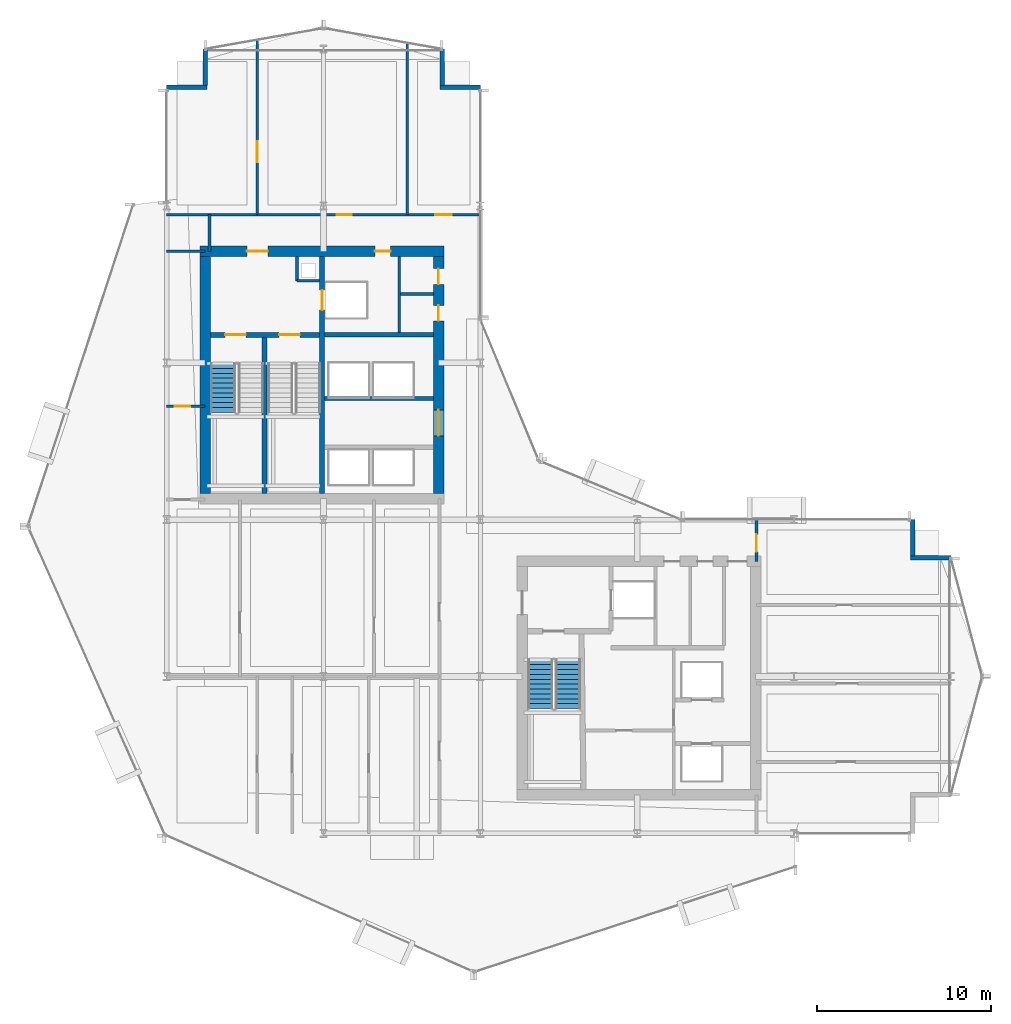
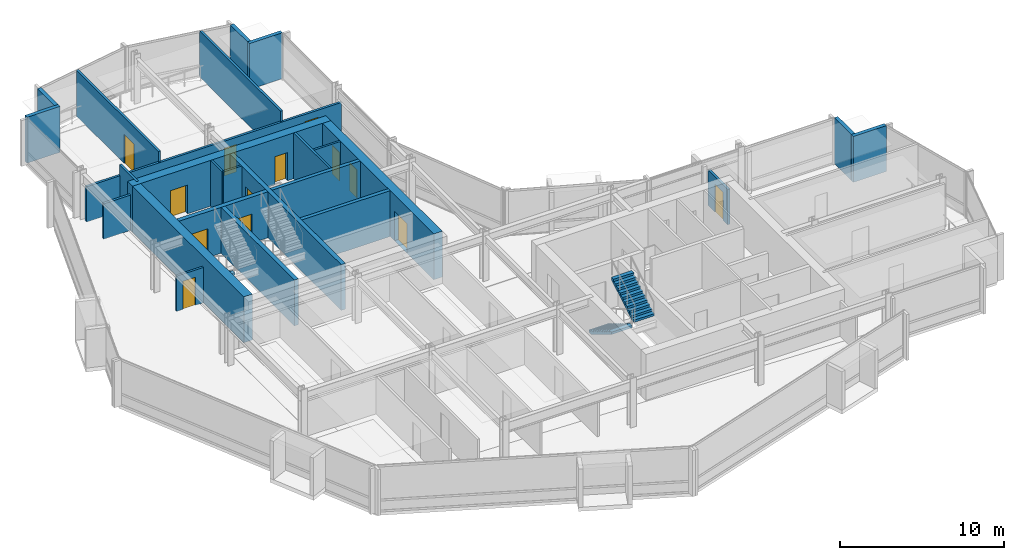
# One storey, part 23 of 29: 25 walls, 13 doors, 3 stair flights, 13 openings, 2 elements without a shape of their own.
"""IFC4 building model written with IfcOpenShell, lengths in metres."""

from ifc_helpers import new_model, si_unit, direction, frame, frame_2d, origin, place, context, subcontext, project, spatial, polyline, rectangle, outline, extrude, material, layer, layer_set, type_object, element, fill, aggregate, save


model = new_model("IFC4")

# Units and contexts
model_context = context("Model", 3, precision=1e-05, world=origin(), true_north=direction((0.0, 1.0)))
body_context = subcontext(model_context, "Body", "Model", "MODEL_VIEW")
ifc_project = project(units=[si_unit("LENGTHUNIT", "METRE"), si_unit("AREAUNIT", "SQUARE_METRE"), si_unit("VOLUMEUNIT", "CUBIC_METRE"), si_unit("PLANEANGLEUNIT", "RADIAN"), si_unit("MASSUNIT", "GRAM", prefix="KILO")], contexts=[model_context])

# Site, building, storey
site_placement = place(None, origin())
site = spatial("IfcSite", under=ifc_project, at=site_placement, CompositionType="ELEMENT")
building_placement = place(site_placement, origin())
building = spatial("IfcBuilding", under=site, at=building_placement, Name="Solvaryn Broadcast Tower", CompositionType="ELEMENT")
storey_placement = place(building_placement, frame((0.0, 0.0, 124.800048828125)))
storey = spatial("IfcBuildingStorey", under=building, at=storey_placement, Name="L30", CompositionType="ELEMENT", Elevation=124.800048828125)

# Wall, openings, doors
ifc_material_1 = material(Name="Concrete f'c 70 MPa", Category="concrete")
ifc_layer_1 = layer(ifc_material_1, 0.60009765625)
ifc_layer_set_1 = layer_set([ifc_layer_1], Name="CW-SHEAR-600")
wall_type_1 = type_object("IfcWallType", Name="CW-SHEAR-600", PredefinedType="SHEAR", material=ifc_layer_set_1)
wall_1_placement = place(storey_placement, frame((24.89990234375, 42.39990234375, 0.0), z_axis=(0.0, 0.0, 1.0), x_axis=(-1.0, 0.0, 0.0)))
wall_1 = element("IfcWall", 1, at=wall_1_placement, inside=storey, type_object=wall_type_1, Name="L30 West Core North Shear Wall", PredefinedType="SHEAR", context=body_context, shape_type="SweptSolid", body=[
    extrude(rectangle(XDim=14.0, YDim=0.60009765625, at=frame_2d((7.0, 0.0))), origin(), (0.0, 0.0, 1.0), 3.419921875),
])
opening_1_placement = place(wall_1_placement, frame((10.10009765625, 0.0, 0.0)))
opening_1 = element("IfcOpeningElement", 2, at=opening_1_placement, cuts=wall_1, Name="Opening FD90A", PredefinedType="OPENING", context=body_context, shape_type="SweptSolid", body=[
    extrude(rectangle(XDim=1.199951171875, YDim=2.14990234375, at=frame_2d((0.60009765625, 1.074951171875))), frame((0.0, 0.31005859375, 0.0), z_axis=(0.0, -1.0, 0.0), x_axis=(1.0, 0.0, 0.0)), (0.0, 0.0, 1.0), 0.6201171875),
])
opening_2_placement = place(wall_1_placement, frame((3.050048828125, 0.0, 0.0)))
opening_2 = element("IfcOpeningElement", 3, at=opening_2_placement, cuts=wall_1, Name="Opening FD60C", PredefinedType="OPENING", context=body_context, shape_type="SweptSolid", body=[
    extrude(rectangle(XDim=0.89990234375, YDim=2.10009765625, at=frame_2d((0.449951171875, 1.050048828125))), frame((0.0, 0.31005859375, 0.0), z_axis=(0.0, -1.0, 0.0), x_axis=(1.0, 0.0, 0.0)), (0.0, 0.0, 1.0), 0.6201171875),
])
ifc_material_2 = material(Name="Flush Acoustic Steel and Timber Door Assembly", Category="steel")
door_type_1 = type_object("IfcDoorType", Name="FD60-SERV-900X2100", OperationType="NOTDEFINED", PredefinedType="DOOR", material=ifc_material_2)
door_1_placement = place(opening_2_placement, origin())
door_1 = element("IfcDoor", 4, at=door_1_placement, inside=storey, type_object=door_type_1, Name="L30 West Core Fiber Riser Door", OperationType="SINGLE_SWING_RIGHT", OverallHeight=2.10009765625, OverallWidth=0.89990234375, PredefinedType="DOOR", context=body_context, shape_type="SweptSolid", body=[
    extrude(rectangle(XDim=0.89990234375, YDim=2.10009765625, at=frame_2d((0.449951171875, 1.050048828125))), frame((0.0, 0.02490234375, 0.0), z_axis=(0.0, -1.0, 0.0), x_axis=(1.0, 0.0, 0.0)), (0.0, 0.0, 1.0), 0.050048828125),
])
fill(opening_2, door_1)
ifc_material_3 = material(Name="Flush Acoustic Steel and Timber Door Assembly", Category="steel")
door_type_2 = type_object("IfcDoorType", Name="FD90-STAIR-1200X2150", OperationType="NOTDEFINED", PredefinedType="DOOR", material=ifc_material_3)
door_2_placement = place(opening_1_placement, origin())
door_2 = element("IfcDoor", 5, at=door_2_placement, inside=storey, type_object=door_type_2, Name="L30 West FSAE Lobby Corridor Door", OperationType="SINGLE_SWING_LEFT", OverallHeight=2.14990234375, OverallWidth=1.199951171875, PredefinedType="DOOR", context=body_context, shape_type="SweptSolid", body=[
    extrude(rectangle(XDim=1.199951171875, YDim=2.14990234375, at=frame_2d((0.60009765625, 1.074951171875))), frame((0.0, 0.02490234375, 0.0), z_axis=(0.0, -1.0, 0.0), x_axis=(1.0, 0.0, 0.0)), (0.0, 0.0, 1.0), 0.050048828125),
])
fill(opening_1, door_2)

# Wall
wall_2_placement = place(storey_placement, frame((11.199951171875, 42.10009765625, 0.0), z_axis=(0.0, 0.0, 1.0), x_axis=(0.0, -1.0, 0.0)))
element("IfcWall", 6, at=wall_2_placement, inside=storey, type_object=wall_type_1, Name="L30 West Core West Shear Wall", PredefinedType="SHEAR", context=body_context, shape_type="SweptSolid", body=[
    extrude(rectangle(XDim=13.60009765625, YDim=0.60009765625, at=frame_2d((6.800048828125, 0.0))), origin(), (0.0, 0.0, 1.0), 3.419921875),
])

# Wall, openings, doors
wall_3_placement = place(storey_placement, frame((24.60009765625, 28.5, 0.0), z_axis=(0.0, 0.0, 1.0), x_axis=(0.0, 1.0, 0.0)))
wall_3 = element("IfcWall", 7, at=wall_3_placement, inside=storey, type_object=wall_type_1, Name="L30 West Core East Shear Wall", PredefinedType="SHEAR", context=body_context, shape_type="SweptSolid", body=[
    extrude(rectangle(XDim=13.60009765625, YDim=0.60009765625, at=frame_2d((6.800048828125, 0.0))), origin(), (0.0, 0.0, 1.0), 3.419921875),
])
opening_3_placement = place(wall_3_placement, frame((3.300048828125, 0.0, 0.0)))
opening_3 = element("IfcOpeningElement", 8, at=opening_3_placement, cuts=wall_3, Name="Opening FD60A", PredefinedType="OPENING", context=body_context, shape_type="SweptSolid", body=[
    extrude(rectangle(XDim=1.5, YDim=2.199951171875, at=frame_2d((0.75, 1.10009765625))), frame((0.0, 0.31005859375, 0.0), z_axis=(0.0, -1.0, 0.0), x_axis=(1.0, 0.0, 0.0)), (0.0, 0.0, 1.0), 0.6201171875),
])
opening_4_placement = place(wall_3_placement, frame((9.89990234375, 0.0, 0.0)))
opening_4 = element("IfcOpeningElement", 9, at=opening_4_placement, cuts=wall_3, Name="Opening FD60C", PredefinedType="OPENING", context=body_context, shape_type="SweptSolid", body=[
    extrude(rectangle(XDim=0.89990234375, YDim=2.10009765625, at=frame_2d((0.449951171875, 1.050048828125))), frame((0.0, 0.31005859375, 0.0), z_axis=(0.0, -1.0, 0.0), x_axis=(1.0, 0.0, 0.0)), (0.0, 0.0, 1.0), 0.6201171875),
])
opening_5_placement = place(wall_3_placement, frame((12.0, 0.0, 0.0)))
opening_5 = element("IfcOpeningElement", 10, at=opening_5_placement, cuts=wall_3, Name="Opening FD60C", PredefinedType="OPENING", context=body_context, shape_type="SweptSolid", body=[
    extrude(rectangle(XDim=0.89990234375, YDim=2.10009765625, at=frame_2d((0.449951171875, 1.050048828125))), frame((0.0, 0.31005859375, 0.0), z_axis=(0.0, -1.0, 0.0), x_axis=(1.0, 0.0, 0.0)), (0.0, 0.0, 1.0), 0.6201171875),
])
ifc_material_4 = material(Name="Flush Acoustic Steel and Timber Door Assembly", Category="steel")
door_type_3 = type_object("IfcDoorType", Name="FD60-CORR-1500X2200", OperationType="NOTDEFINED", PredefinedType="DOOR", material=ifc_material_4)
door_3_placement = place(opening_3_placement, origin())
door_3 = element("IfcDoor", 11, at=door_3_placement, inside=storey, type_object=door_type_3, Name="L30 West Elevator Lobby Corridor Door", OperationType="DOUBLE_DOOR_SINGLE_SWING", OverallHeight=2.199951171875, OverallWidth=1.5, PredefinedType="DOOR", context=body_context, shape_type="SweptSolid", body=[
    extrude(rectangle(XDim=1.5, YDim=2.199951171875, at=frame_2d((0.75, 1.10009765625))), frame((0.0, 0.02490234375, 0.0), z_axis=(0.0, -1.0, 0.0), x_axis=(1.0, 0.0, 0.0)), (0.0, 0.0, 1.0), 0.050048828125),
])
fill(opening_3, door_3)
door_4_placement = place(opening_4_placement, origin())
door_4 = element("IfcDoor", 12, at=door_4_placement, inside=storey, type_object=door_type_1, Name="L30 West Core Service Door 1", OperationType="SINGLE_SWING_LEFT", OverallHeight=2.10009765625, OverallWidth=0.89990234375, PredefinedType="DOOR", context=body_context, shape_type="SweptSolid", body=[
    extrude(rectangle(XDim=0.89990234375, YDim=2.10009765625, at=frame_2d((0.449951171875, 1.050048828125))), frame((0.0, 0.02490234375, 0.0), z_axis=(0.0, -1.0, 0.0), x_axis=(1.0, 0.0, 0.0)), (0.0, 0.0, 1.0), 0.050048828125),
])
fill(opening_4, door_4)
door_5_placement = place(opening_5_placement, origin())
door_5 = element("IfcDoor", 13, at=door_5_placement, inside=storey, type_object=door_type_1, Name="L30 West Core Janitor Door", OperationType="SINGLE_SWING_RIGHT", OverallHeight=2.10009765625, OverallWidth=0.89990234375, PredefinedType="DOOR", context=body_context, shape_type="SweptSolid", body=[
    extrude(rectangle(XDim=0.89990234375, YDim=2.10009765625, at=frame_2d((0.449951171875, 1.050048828125))), frame((0.0, 0.02490234375, 0.0), z_axis=(0.0, -1.0, 0.0), x_axis=(1.0, 0.0, 0.0)), (0.0, 0.0, 1.0), 0.050048828125),
])
fill(opening_5, door_5)

# Walls
ifc_material_5 = material(Name="Concrete f'c 50 MPa", Category="concrete")
ifc_layer_2 = layer(ifc_material_5, 0.260009765625)
ifc_layer_set_2 = layer_set([ifc_layer_2], Name="EW-PIER-260")
wall_type_2 = type_object("IfcWallType", Name="EW-PIER-260", PredefinedType="SOLIDWALL", material=ifc_layer_set_2)
wall_4_placement = place(storey_placement, frame((9.0, 51.800048828125, 0.0), z_axis=(0.0, 0.0, 1.0), x_axis=(1.0, 0.0, 0.0)))
element("IfcWall", 14, at=wall_4_placement, inside=storey, type_object=wall_type_2, Name="L30 Notched Corner Pier Wall NNW1", PredefinedType="SOLIDWALL", context=body_context, shape_type="SweptSolid", body=[
    extrude(rectangle(XDim=2.320068359375, YDim=0.260009765625, at=frame_2d((1.16015625, 0.0))), origin(), (0.0, 0.0, 1.0), 3.419921875),
])
for number, where, z_axis, x_axis, name in (
    (15, (11.199951171875, 51.919921875, 0.0), (0.0, 0.0, 1.0), (0.0, 1.0, 0.0), "L30 Notched Corner Pier Wall NNW2"),
    (16, (24.800048828125, 54.0, 0.0), (0.0, 0.0, 1.0), (0.0, -1.0, 0.0), "L30 Notched Corner Pier Wall NNE1"),
):
    element("IfcWall", number, at=place(storey_placement, frame(where, z_axis=z_axis, x_axis=x_axis)), inside=storey, type_object=wall_type_2, Name=name, PredefinedType="SOLIDWALL", context=body_context, shape_type="SweptSolid", body=[
        extrude(rectangle(XDim=2.080078125, YDim=0.260009765625, at=frame_2d((1.0400390625, 0.0))), origin(), (0.0, 0.0, 1.0), 3.419921875),
    ])
for number, where, z_axis, x_axis, name in (
    (17, (24.679931640625, 51.800048828125, 0.0), (0.0, 0.0, 1.0), (1.0, 0.0, 0.0), "L30 Notched Corner Pier Wall NNE2"),
    (18, (54.0, 24.800048828125, 0.0), (0.0, 0.0, 1.0), (-1.0, 0.0, 0.0), "L30 Notched Corner Pier Wall NEE1"),
):
    element("IfcWall", number, at=place(storey_placement, frame(where, z_axis=z_axis, x_axis=x_axis)), inside=storey, type_object=wall_type_2, Name=name, PredefinedType="SOLIDWALL", context=body_context, shape_type="SweptSolid", body=[
        extrude(rectangle(XDim=2.320068359375, YDim=0.260009765625, at=frame_2d((1.16015625, 0.0))), origin(), (0.0, 0.0, 1.0), 3.419921875),
    ])
wall_5_placement = place(storey_placement, frame((51.800048828125, 24.919921875, 0.0), z_axis=(0.0, 0.0, 1.0), x_axis=(0.0, 1.0, 0.0)))
element("IfcWall", 19, at=wall_5_placement, inside=storey, type_object=wall_type_2, Name="L30 Notched Corner Pier Wall NEE2", PredefinedType="SOLIDWALL", context=body_context, shape_type="SweptSolid", body=[
    extrude(rectangle(XDim=2.080078125, YDim=0.260009765625, at=frame_2d((1.0400390625, 0.0))), origin(), (0.0, 0.0, 1.0), 3.419921875),
])
ifc_material_6 = material(Name="Metal-Stud Service Core Partition")
ifc_layer_3 = layer(ifc_material_6, 0.14990234375)
ifc_layer_set_3 = layer_set([ifc_layer_3], Name="IW-PART-150")
wall_type_3 = type_object("IfcWallType", Name="IW-PART-150", PredefinedType="PARTITIONING", material=ifc_layer_set_3)
wall_6_placement = place(storey_placement, frame((16.47998046875, 40.699951171875, 0.0), z_axis=(0.0, 0.0, 1.0), x_axis=(1.0, 0.0, 0.0)))
element("IfcWall", 20, at=wall_6_placement, inside=storey, type_object=wall_type_3, Name="L30 West Core Riser Shaft South Wall", PredefinedType="PARTITIONING", context=body_context, shape_type="SweptSolid", body=[
    extrude(rectangle(XDim=1.2900390625, YDim=0.14990234375, at=frame_2d((0.64501953125, 0.0))), origin(), (0.0, 0.0, 1.0), 3.419921875),
])
wall_7_placement = place(storey_placement, frame((16.47998046875, 40.699951171875, 0.0), z_axis=(0.0, 0.0, 1.0), x_axis=(0.0, 1.0, 0.0)))
element("IfcWall", 21, at=wall_7_placement, inside=storey, type_object=wall_type_3, Name="L30 West Core Riser Shaft West Wall", PredefinedType="PARTITIONING", context=body_context, shape_type="SweptSolid", body=[
    extrude(rectangle(XDim=1.400146484375, YDim=0.14990234375, at=frame_2d((0.7001953125, 0.0))), origin(), (0.0, 0.0, 1.0), 3.419921875),
])
wall_8_placement = place(storey_placement, frame((22.35009765625, 37.72998046875, 0.0), z_axis=(0.0, 0.0, 1.0), x_axis=(0.0, 1.0, 0.0)))
element("IfcWall", 22, at=wall_8_placement, inside=storey, type_object=wall_type_3, Name="L30 Interior Partition IW-L30-CWS-V", PredefinedType="PARTITIONING", context=body_context, shape_type="SweptSolid", body=[
    extrude(rectangle(XDim=4.3701171875, YDim=0.14990234375, at=frame_2d((2.18505859375, 0.0))), origin(), (0.0, 0.0, 1.0), 3.419921875),
])
wall_9_placement = place(storey_placement, frame((22.429931640625, 39.949951171875, 0.0), z_axis=(0.0, 0.0, 1.0), x_axis=(1.0, 0.0, 0.0)))
element("IfcWall", 23, at=wall_9_placement, inside=storey, type_object=wall_type_3, Name="L30 Interior Partition IW-L30-CWS-H", PredefinedType="PARTITIONING", context=body_context, shape_type="SweptSolid", body=[
    extrude(rectangle(XDim=1.8701171875, YDim=0.14990234375, at=frame_2d((0.93505859375, 0.0))), origin(), (0.0, 0.0, 1.0), 3.419921875),
])

# Wall, opening, door
wall_10_placement = place(storey_placement, frame((9.0, 33.5, 0.0), z_axis=(0.0, 0.0, 1.0), x_axis=(1.0, 0.0, 0.0)))
wall_10 = element("IfcWall", 24, at=wall_10_placement, inside=storey, type_object=wall_type_3, Name="L30 Interior Partition IW-L30-WM-M", PredefinedType="PARTITIONING", context=body_context, shape_type="SweptSolid", body=[
    extrude(rectangle(XDim=2.199951171875, YDim=0.14990234375, at=frame_2d((1.10009765625, 0.0))), origin(), (0.0, 0.0, 1.0), 2.634033203125),
])
opening_6_placement = place(wall_10_placement, frame((0.449951171875, 0.0, 0.0)))
opening_6 = element("IfcOpeningElement", 25, at=opening_6_placement, cuts=wall_10, Name="Opening FD60C", PredefinedType="OPENING", context=body_context, shape_type="SweptSolid", body=[
    extrude(rectangle(XDim=0.89990234375, YDim=2.10009765625, at=frame_2d((0.449951171875, 1.050048828125))), frame((0.0, 0.0849609375, 0.0), z_axis=(0.0, -1.0, 0.0), x_axis=(1.0, 0.0, 0.0)), (0.0, 0.0, 1.0), 0.169921875),
])
door_6_placement = place(opening_6_placement, origin())
door_6 = element("IfcDoor", 26, at=door_6_placement, inside=storey, type_object=door_type_1, Name="L30 Door DR-L30-WM1", OperationType="SINGLE_SWING_RIGHT", OverallHeight=2.10009765625, OverallWidth=0.89990234375, PredefinedType="DOOR", context=body_context, shape_type="SweptSolid", body=[
    extrude(rectangle(XDim=0.89990234375, YDim=2.10009765625, at=frame_2d((0.449951171875, 1.050048828125))), frame((0.0, 0.02490234375, 0.0), z_axis=(0.0, -1.0, 0.0), x_axis=(1.0, 0.0, 0.0)), (0.0, 0.0, 1.0), 0.050048828125),
])
fill(opening_6, door_6)

# Walls
ifc_material_7 = material(Name="Metal-Stud Gypsum Office Partition")
ifc_layer_4 = layer(ifc_material_7, 0.159912109375)
ifc_layer_set_4 = layer_set([ifc_layer_4], Name="IW-PART-160")
wall_type_4 = type_object("IfcWallType", Name="IW-PART-160", PredefinedType="PARTITIONING", material=ifc_layer_set_4)
wall_11_placement = place(storey_placement, frame((9.0, 42.39990234375, 0.0), z_axis=(0.0, 0.0, 1.0), x_axis=(1.0, 0.0, 0.0)))
element("IfcWall", 27, at=wall_11_placement, inside=storey, type_object=wall_type_4, Name="L30 Interior Partition IW-L30-WM-N", PredefinedType="PARTITIONING", context=body_context, shape_type="SweptSolid", body=[
    extrude(rectangle(XDim=2.199951171875, YDim=0.159912109375, at=frame_2d((1.10009765625, 0.0))), origin(), (0.0, 0.0, 1.0), 2.634033203125),
])
wall_12_placement = place(storey_placement, frame((11.449951171875, 42.39990234375, 0.0), z_axis=(0.0, 0.0, 1.0), x_axis=(0.0, 1.0, 0.0)))
element("IfcWall", 28, at=wall_12_placement, inside=storey, type_object=wall_type_4, Name="L30 Interior Partition IW-L30-WM-E", PredefinedType="PARTITIONING", context=body_context, shape_type="SweptSolid", body=[
    extrude(rectangle(XDim=2.10009765625, YDim=0.159912109375, at=frame_2d((1.050048828125, 0.0))), origin(), (0.0, 0.0, 1.0), 3.419921875),
])

# Wall, openings, doors
wall_13_placement = place(storey_placement, frame((9.0, 44.5, 0.0), z_axis=(0.0, 0.0, 1.0), x_axis=(1.0, 0.0, 0.0)))
wall_13 = element("IfcWall", 29, at=wall_13_placement, inside=storey, type_object=wall_type_4, Name="L30 Interior Partition IW-L30-NW-SB", PredefinedType="PARTITIONING", context=body_context, shape_type="SweptSolid", body=[
    extrude(rectangle(XDim=18.0, YDim=0.159912109375, at=frame_2d((9.0, 0.0))), origin(), (0.0, 0.0, 1.0), 2.634033203125),
])
opening_7_placement = place(wall_13_placement, frame((9.75, 0.0, 0.0)))
opening_7 = element("IfcOpeningElement", 30, at=opening_7_placement, cuts=wall_13, Name="Opening ID07", PredefinedType="OPENING", context=body_context, shape_type="SweptSolid", body=[
    extrude(rectangle(XDim=0.860107421875, YDim=2.050048828125, at=frame_2d((0.43017578125, 1.02490234375))), frame((0.0, 0.090087890625, 0.0), z_axis=(0.0, -1.0, 0.0), x_axis=(1.0, 0.0, 0.0)), (0.0, 0.0, 1.0), 0.179931640625),
])
opening_8_placement = place(wall_13_placement, frame((15.39990234375, 0.0, 0.0)))
opening_8 = element("IfcOpeningElement", 31, at=opening_8_placement, cuts=wall_13, Name="Opening ID01", PredefinedType="OPENING", context=body_context, shape_type="SweptSolid", body=[
    extrude(rectangle(XDim=0.949951171875, YDim=2.10009765625, at=frame_2d((0.47509765625, 1.050048828125))), frame((0.0, 0.090087890625, 0.0), z_axis=(0.0, -1.0, 0.0), x_axis=(1.0, 0.0, 0.0)), (0.0, 0.0, 1.0), 0.179931640625),
])
ifc_material_8 = material(Name="Flush Acoustic Steel and Timber Door Assembly", Category="steel")
door_type_4 = type_object("IfcDoorType", Name="ID-01-950X2100", OperationType="NOTDEFINED", PredefinedType="DOOR", material=ifc_material_8)
door_7_placement = place(opening_8_placement, origin())
door_7 = element("IfcDoor", 32, at=door_7_placement, inside=storey, type_object=door_type_4, Name="L30 Door DR-L30-NW-3", OperationType="SINGLE_SWING_RIGHT", OverallHeight=2.10009765625, OverallWidth=0.949951171875, PredefinedType="DOOR", context=body_context, shape_type="SweptSolid", body=[
    extrude(rectangle(XDim=0.949951171875, YDim=2.10009765625, at=frame_2d((0.47509765625, 1.050048828125))), frame((0.0, 0.02490234375, 0.0), z_axis=(0.0, -1.0, 0.0), x_axis=(1.0, 0.0, 0.0)), (0.0, 0.0, 1.0), 0.050048828125),
])
fill(opening_8, door_7)
ifc_material_9 = material(Name="Flush Acoustic Steel and Timber Door Assembly", Category="steel")
door_type_5 = type_object("IfcDoorType", Name="ID-07-860X2050", OperationType="NOTDEFINED", PredefinedType="DOOR", material=ifc_material_9)
door_8_placement = place(opening_7_placement, origin())
door_8 = element("IfcDoor", 33, at=door_8_placement, inside=storey, type_object=door_type_5, Name="L30 Door DR-L30-NW-2", OperationType="SINGLE_SWING_LEFT", OverallHeight=2.050048828125, OverallWidth=0.860107421875, PredefinedType="DOOR", context=body_context, shape_type="SweptSolid", body=[
    extrude(rectangle(XDim=0.860107421875, YDim=2.050048828125, at=frame_2d((0.43017578125, 1.02490234375))), frame((0.0, 0.02490234375, 0.0), z_axis=(0.0, -1.0, 0.0), x_axis=(1.0, 0.0, 0.0)), (0.0, 0.0, 1.0), 0.050048828125),
])
fill(opening_7, door_8)

# Wall, opening, door
wall_14_placement = place(storey_placement, frame((14.199951171875, 44.5, 0.0), z_axis=(0.0, 0.0, 1.0), x_axis=(0.0, 1.0, 0.0)))
wall_14 = element("IfcWall", 34, at=wall_14_placement, inside=storey, type_object=wall_type_4, Name="L30 Interior Partition IW-L30-NW-V1", PredefinedType="PARTITIONING", context=body_context, shape_type="SweptSolid", body=[
    extrude(rectangle(XDim=10.029052734375, YDim=0.159912109375, at=frame_2d((5.0146484375, 0.0))), origin(), (0.0, 0.0, 1.0), 3.419921875),
])
opening_9_placement = place(wall_14_placement, frame((3.0, 0.0, 0.0)))
opening_9 = element("IfcOpeningElement", 35, at=opening_9_placement, cuts=wall_14, Name="Opening ID04", PredefinedType="OPENING", context=body_context, shape_type="SweptSolid", body=[
    extrude(rectangle(XDim=1.199951171875, YDim=2.14990234375, at=frame_2d((0.60009765625, 1.074951171875))), frame((0.0, 0.090087890625, 0.0), z_axis=(0.0, -1.0, 0.0), x_axis=(1.0, 0.0, 0.0)), (0.0, 0.0, 1.0), 0.179931640625),
])
ifc_material_10 = material(Name="Flush Acoustic Steel and Timber Door Assembly", Category="steel")
door_type_6 = type_object("IfcDoorType", Name="ID-04-1200X2150", OperationType="NOTDEFINED", PredefinedType="DOOR", material=ifc_material_10)
door_9_placement = place(opening_9_placement, origin())
door_9 = element("IfcDoor", 36, at=door_9_placement, inside=storey, type_object=door_type_6, Name="L30 Door DR-L30-NW-C1", OperationType="SINGLE_SWING_RIGHT", OverallHeight=2.14990234375, OverallWidth=1.199951171875, PredefinedType="DOOR", context=body_context, shape_type="SweptSolid", body=[
    extrude(rectangle(XDim=1.199951171875, YDim=2.14990234375, at=frame_2d((0.60009765625, 1.074951171875))), frame((0.0, 0.02490234375, 0.0), z_axis=(0.0, -1.0, 0.0), x_axis=(1.0, 0.0, 0.0)), (0.0, 0.0, 1.0), 0.050048828125),
])
fill(opening_9, door_9)

# Wall
wall_15_placement = place(storey_placement, frame((22.800048828125, 44.5, 0.0), z_axis=(0.0, 0.0, 1.0), x_axis=(0.0, 1.0, 0.0)))
element("IfcWall", 37, at=wall_15_placement, inside=storey, type_object=wall_type_4, Name="L30 Interior Partition IW-L30-NW-V2", PredefinedType="PARTITIONING", context=body_context, shape_type="SweptSolid", body=[
    extrude(rectangle(XDim=9.85302734375, YDim=0.159912109375, at=frame_2d((4.926513671875, 0.0))), origin(), (0.0, 0.0, 1.0), 3.419921875),
])

# Wall, opening, door
wall_16_placement = place(storey_placement, frame((42.85009765625, 24.60009765625, 0.0), z_axis=(0.0, 0.0, 1.0), x_axis=(0.0, 1.0, 0.0)))
wall_16 = element("IfcWall", 38, at=wall_16_placement, inside=storey, type_object=wall_type_4, Name="L30 Interior Partition IW-L30-EW-BN", PredefinedType="PARTITIONING", context=body_context, shape_type="SweptSolid", body=[
    extrude(rectangle(XDim=2.39990234375, YDim=0.159912109375, at=frame_2d((1.199951171875, 0.0))), origin(), (0.0, 0.0, 1.0), 2.634033203125),
])
opening_10_placement = place(wall_16_placement, frame((0.550048828125, 0.0, 0.0)))
opening_10 = element("IfcOpeningElement", 39, at=opening_10_placement, cuts=wall_16, Name="Opening ID02", PredefinedType="OPENING", context=body_context, shape_type="SweptSolid", body=[
    extrude(rectangle(XDim=1.0, YDim=2.10009765625, at=frame_2d((0.5, 1.050048828125))), frame((0.0, 0.090087890625, 0.0), z_axis=(0.0, -1.0, 0.0), x_axis=(1.0, 0.0, 0.0)), (0.0, 0.0, 1.0), 0.179931640625),
])
ifc_material_11 = material(Name="Flush Acoustic Steel and Timber Door Assembly", Category="steel")
door_type_7 = type_object("IfcDoorType", Name="ID-02-1000X2100", OperationType="NOTDEFINED", PredefinedType="DOOR", material=ifc_material_11)
door_10_placement = place(opening_10_placement, origin())
door_10 = element("IfcDoor", 40, at=door_10_placement, inside=storey, type_object=door_type_7, Name="L30 Door DR-L30-EW0", OperationType="SINGLE_SWING_LEFT", OverallHeight=2.10009765625, OverallWidth=1.0, PredefinedType="DOOR", context=body_context, shape_type="SweptSolid", body=[
    extrude(rectangle(XDim=1.0, YDim=2.10009765625, at=frame_2d((0.5, 1.050048828125))), frame((0.0, 0.02490234375, 0.0), z_axis=(0.0, -1.0, 0.0), x_axis=(1.0, 0.0, 0.0)), (0.0, 0.0, 1.0), 0.050048828125),
])
fill(opening_10, door_10)

# Walls
ifc_material_12 = material(Name="Concrete f'c 60 MPa", Category="concrete")
ifc_layer_5 = layer(ifc_material_12, 0.25)
ifc_layer_set_5 = layer_set([ifc_layer_5], Name="SW-SHAFT-250")
wall_type_5 = type_object("IfcWallType", Name="SW-SHAFT-250", PredefinedType="PARTITIONING", material=ifc_layer_set_5)
for number, where, z_axis, x_axis, name in (
    (41, (18.070068359375, 37.60009765625, 0.0), (0.0, 0.0, 1.0), (1.0, 0.0, 0.0), "L30 West Core FSAE Hoistway Front Wall"),
    (42, (24.300048828125, 33.949951171875, 0.0), (0.0, 0.0, 1.0), (-1.0, 0.0, 0.0), "L30 High-Rise Lift Bank North Wall"),
):
    element("IfcWall", number, at=place(storey_placement, frame(where, z_axis=z_axis, x_axis=x_axis)), inside=storey, type_object=wall_type_5, Name=name, PredefinedType="PARTITIONING", context=body_context, shape_type="SweptSolid", body=[
        extrude(rectangle(XDim=6.22998046875, YDim=0.25, at=frame_2d((3.114990234375, 0.0))), origin(), (0.0, 0.0, 1.0), 3.419921875),
    ])
ifc_material_13 = material(Name="Concrete f'c 70 MPa", Category="concrete")
ifc_layer_6 = layer(ifc_material_13, 0.300048828125)
ifc_layer_set_6 = layer_set([ifc_layer_6], Name="SW-SHAFT-300")
wall_type_6 = type_object("IfcWallType", Name="SW-SHAFT-300", PredefinedType="SHEAR", material=ifc_layer_set_6)
wall_17_placement = place(storey_placement, frame((14.6201171875, 28.5, 0.0), z_axis=(0.0, 0.0, 1.0), x_axis=(0.0, 1.0, 0.0)))
element("IfcWall", 43, at=wall_17_placement, inside=storey, type_object=wall_type_6, Name="L30 Stair 1-2 Dividing Wall", PredefinedType="SHEAR", context=body_context, shape_type="SweptSolid", body=[
    extrude(rectangle(XDim=8.949951171875, YDim=0.300048828125, at=frame_2d((4.47509765625, 0.0))), origin(), (0.0, 0.0, 1.0), 3.419921875),
])

# Wall, opening, door
wall_18_placement = place(storey_placement, frame((17.919921875, 42.10009765625, 0.0), z_axis=(0.0, 0.0, 1.0), x_axis=(0.0, -1.0, 0.0)))
wall_18 = element("IfcWall", 44, at=wall_18_placement, inside=storey, type_object=wall_type_6, Name="L30 West Core Stair-Lobby Shear Wall", PredefinedType="SHEAR", context=body_context, shape_type="SweptSolid", body=[
    extrude(rectangle(XDim=13.60009765625, YDim=0.300048828125, at=frame_2d((6.800048828125, 0.0))), origin(), (0.0, 0.0, 1.0), 3.419921875),
])
opening_11_placement = place(wall_18_placement, frame((1.925048828125, 0.0, 0.0)))
opening_11 = element("IfcOpeningElement", 45, at=opening_11_placement, cuts=wall_18, Name="Opening LD01", PredefinedType="OPENING", context=body_context, shape_type="SweptSolid", body=[
    extrude(rectangle(XDim=1.14990234375, YDim=2.14990234375, at=frame_2d((0.574951171875, 1.074951171875))), frame((0.0, 0.159912109375, 0.0), z_axis=(0.0, -1.0, 0.0), x_axis=(1.0, 0.0, 0.0)), (0.0, 0.0, 1.0), 0.320068359375),
])
ifc_material_14 = material(Name="Flush Acoustic Steel and Timber Door Assembly", Category="steel")
door_type_8 = type_object("IfcDoorType", Name="LD-LIFT-1150X2150", OperationType="NOTDEFINED", PredefinedType="DOOR", material=ifc_material_14)
door_11_placement = place(opening_11_placement, origin())
door_11 = element("IfcDoor", 46, at=door_11_placement, inside=storey, type_object=door_type_8, Name="L30 FL1 Lift Landing Door", OperationType="DOUBLE_DOOR_SLIDING", OverallHeight=2.14990234375, OverallWidth=1.14990234375, PredefinedType="DOOR", context=body_context, shape_type="SweptSolid", body=[
    extrude(rectangle(XDim=1.14990234375, YDim=2.14990234375, at=frame_2d((0.574951171875, 1.074951171875))), frame((0.0, 0.02490234375, 0.0), z_axis=(0.0, -1.0, 0.0), x_axis=(1.0, 0.0, 0.0)), (0.0, 0.0, 1.0), 0.050048828125),
])
fill(opening_11, door_11)

# Wall, openings, doors
wall_19_placement = place(storey_placement, frame((17.77001953125, 37.60009765625, 0.0), z_axis=(0.0, 0.0, 1.0), x_axis=(-1.0, 0.0, 0.0)))
wall_19 = element("IfcWall", 47, at=wall_19_placement, inside=storey, type_object=wall_type_6, Name="L30 West Core FSAE Lobby South Wall", PredefinedType="SHEAR", context=body_context, shape_type="SweptSolid", body=[
    extrude(rectangle(XDim=6.27001953125, YDim=0.300048828125, at=frame_2d((3.135009765625, 0.0))), origin(), (0.0, 0.0, 1.0), 3.419921875),
])
opening_12_placement = place(wall_19_placement, frame((4.219970703125, 0.0, 0.0)))
opening_12 = element("IfcOpeningElement", 48, at=opening_12_placement, cuts=wall_19, Name="Opening FD90A", PredefinedType="OPENING", context=body_context, shape_type="SweptSolid", body=[
    extrude(rectangle(XDim=1.199951171875, YDim=2.14990234375, at=frame_2d((0.60009765625, 1.074951171875))), frame((0.0, 0.159912109375, 0.0), z_axis=(0.0, -1.0, 0.0), x_axis=(1.0, 0.0, 0.0)), (0.0, 0.0, 1.0), 0.320068359375),
])
opening_13_placement = place(wall_19_placement, frame((1.1201171875, 0.0, 0.0)))
opening_13 = element("IfcOpeningElement", 49, at=opening_13_placement, cuts=wall_19, Name="Opening FD90A", PredefinedType="OPENING", context=body_context, shape_type="SweptSolid", body=[
    extrude(rectangle(XDim=1.199951171875, YDim=2.14990234375, at=frame_2d((0.60009765625, 1.074951171875))), frame((0.0, 0.159912109375, 0.0), z_axis=(0.0, -1.0, 0.0), x_axis=(1.0, 0.0, 0.0)), (0.0, 0.0, 1.0), 0.320068359375),
])
door_12_placement = place(opening_12_placement, origin())
door_12 = element("IfcDoor", 50, at=door_12_placement, inside=storey, type_object=door_type_2, Name="L30 Stair 1 Fire Door", OperationType="SINGLE_SWING_LEFT", OverallHeight=2.14990234375, OverallWidth=1.199951171875, PredefinedType="DOOR", context=body_context, shape_type="SweptSolid", body=[
    extrude(rectangle(XDim=1.199951171875, YDim=2.14990234375, at=frame_2d((0.60009765625, 1.074951171875))), frame((0.0, 0.02490234375, 0.0), z_axis=(0.0, -1.0, 0.0), x_axis=(1.0, 0.0, 0.0)), (0.0, 0.0, 1.0), 0.050048828125),
])
fill(opening_12, door_12)
door_13_placement = place(opening_13_placement, origin())
door_13 = element("IfcDoor", 51, at=door_13_placement, inside=storey, type_object=door_type_2, Name="L30 Stair 2 Fire Door", OperationType="SINGLE_SWING_RIGHT", OverallHeight=2.14990234375, OverallWidth=1.199951171875, PredefinedType="DOOR", context=body_context, shape_type="SweptSolid", body=[
    extrude(rectangle(XDim=1.199951171875, YDim=2.14990234375, at=frame_2d((0.60009765625, 1.074951171875))), frame((0.0, 0.02490234375, 0.0), z_axis=(0.0, -1.0, 0.0), x_axis=(1.0, 0.0, 0.0)), (0.0, 0.0, 1.0), 0.050048828125),
])
fill(opening_13, door_13)

# Stair, stair flight
ifc_material_15 = material(Name="Concrete f'c 60 MPa", Category="concrete")
stair_type = type_object("IfcStairType", Name="ST-CORE", PredefinedType="HALF_TURN_STAIR", material=ifc_material_15)
stair_1_placement = place(storey_placement, origin())
stair_1 = element("IfcStair", 52, at=stair_1_placement, inside=storey, type_object=stair_type, Name="L30 ST1", PredefinedType="HALF_TURN_STAIR")
ifc_material_16 = material(Name="Concrete f'c 60 MPa", Category="concrete")
ifc_layer_7 = layer(ifc_material_16, 0.159912109375)
ifc_layer_set_7 = layer_set([ifc_layer_7], Name="SF-CORE")
stair_flight_type = type_object("IfcStairFlightType", Name="SF-CORE", PredefinedType="STRAIGHT", material=ifc_layer_set_7)
stair_flight_1_placement = place(storey_placement, frame((12.239990234375, 35.9599609375, 0.0), z_axis=(0.0, 0.0, 1.0), x_axis=(0.0, -1.0, 0.0)))
stair_flight_1 = element("IfcStairFlight", 53, at=stair_flight_1_placement, type_object=stair_flight_type, Name="ST1 flight 1", NumberOfRisers=11, NumberOfTreads=10, PredefinedType="STRAIGHT", RiserHeight=0.168181818, TreadLength=0.28, context=body_context, shape_type="SweptSolid", body=[
    extrude(outline(polyline([(0.0, 0.0), (0.0, 0.168212890625), (0.280029296875, 0.168212890625), (0.280029296875, 0.33642578125), (0.56005859375, 0.33642578125), (0.56005859375, 0.504638671875), (0.840087890625, 0.504638671875), (0.840087890625, 0.672607421875), (1.1201171875, 0.672607421875), (1.1201171875, 0.8408203125), (1.39990234375, 0.8408203125), (1.39990234375, 1.009033203125), (1.679931640625, 1.009033203125), (1.679931640625, 1.17724609375), (1.9599609375, 1.17724609375), (1.9599609375, 1.345458984375), (2.239990234375, 1.345458984375), (2.239990234375, 1.513671875), (2.52001953125, 1.513671875), (2.52001953125, 1.681884765625), (2.800048828125, 1.681884765625), (2.800048828125, 1.85009765625), (2.800048828125, 1.5068359375), (0.291015625, 0.0), (0.0, 0.0)])), frame((0.0, 0.719970703125, 0.0), z_axis=(0.0, -1.0, 0.0), x_axis=(1.0, 0.0, 0.0)), (0.0, 0.0, 1.0), 1.43994140625),
])
aggregate(stair_1, [stair_flight_1])

# Stair, stair flights
stair_2_placement = place(storey_placement, origin())
stair_2 = element("IfcStair", 54, at=stair_2_placement, inside=storey, type_object=stair_type, Name="L30 ST3", PredefinedType="HALF_TURN_STAIR")
stair_flight_2_placement = place(storey_placement, frame((30.43994140625, 18.9599609375, 0.0), z_axis=(0.0, 0.0, 1.0), x_axis=(0.0, -1.0, 0.0)))
stair_flight_2 = element("IfcStairFlight", 55, at=stair_flight_2_placement, type_object=stair_flight_type, Name="ST3 flight 1", NumberOfRisers=11, NumberOfTreads=10, PredefinedType="STRAIGHT", RiserHeight=0.168181818, TreadLength=0.28, context=body_context, shape_type="SweptSolid", body=[
    extrude(outline(polyline([(0.0, 0.0), (0.0, 0.168212890625), (0.280029296875, 0.168212890625), (0.280029296875, 0.33642578125), (0.56005859375, 0.33642578125), (0.56005859375, 0.504638671875), (0.840087890625, 0.504638671875), (0.840087890625, 0.672607421875), (1.1201171875, 0.672607421875), (1.1201171875, 0.8408203125), (1.39990234375, 0.8408203125), (1.39990234375, 1.009033203125), (1.679931640625, 1.009033203125), (1.679931640625, 1.17724609375), (1.9599609375, 1.17724609375), (1.9599609375, 1.345458984375), (2.239990234375, 1.345458984375), (2.239990234375, 1.513671875), (2.52001953125, 1.513671875), (2.52001953125, 1.681884765625), (2.800048828125, 1.681884765625), (2.800048828125, 1.85009765625), (2.800048828125, 1.5068359375), (0.291015625, 0.0), (0.0, 0.0)])), frame((0.0, 0.719970703125, 0.0), z_axis=(0.0, -1.0, 0.0), x_axis=(1.0, 0.0, 0.0)), (0.0, 0.0, 1.0), 1.43994140625),
])
stair_flight_3_placement = place(storey_placement, frame((32.030029296875, 16.159912109375, 1.849853515625), z_axis=(0.0, 0.0, 1.0), x_axis=(0.0, 1.0, 0.0)))
stair_flight_3 = element("IfcStairFlight", 56, at=stair_flight_3_placement, type_object=stair_flight_type, Name="ST3 flight 2", NumberOfRisers=11, NumberOfTreads=10, PredefinedType="STRAIGHT", RiserHeight=0.168181818, TreadLength=0.28, context=body_context, shape_type="SweptSolid", body=[
    extrude(outline(polyline([(0.0, 0.0), (0.0, 0.168212890625), (0.280029296875, 0.168212890625), (0.280029296875, 0.33642578125), (0.56005859375, 0.33642578125), (0.56005859375, 0.504638671875), (0.840087890625, 0.504638671875), (0.840087890625, 0.672607421875), (1.1201171875, 0.672607421875), (1.1201171875, 0.8408203125), (1.39990234375, 0.8408203125), (1.39990234375, 1.009033203125), (1.679931640625, 1.009033203125), (1.679931640625, 1.17724609375), (1.9599609375, 1.17724609375), (1.9599609375, 1.345458984375), (2.239990234375, 1.345458984375), (2.239990234375, 1.513671875), (2.52001953125, 1.513671875), (2.52001953125, 1.681884765625), (2.800048828125, 1.681884765625), (2.800048828125, 1.85009765625), (2.800048828125, 1.5068359375), (0.291015625, 0.0), (0.0, 0.0)])), frame((0.0, 0.719970703125, 0.0), z_axis=(0.0, -1.0, 0.0), x_axis=(1.0, 0.0, 0.0)), (0.0, 0.0, 1.0), 1.43994140625),
])
aggregate(stair_2, [stair_flight_2, stair_flight_3])

save(model, "model.ifc")
